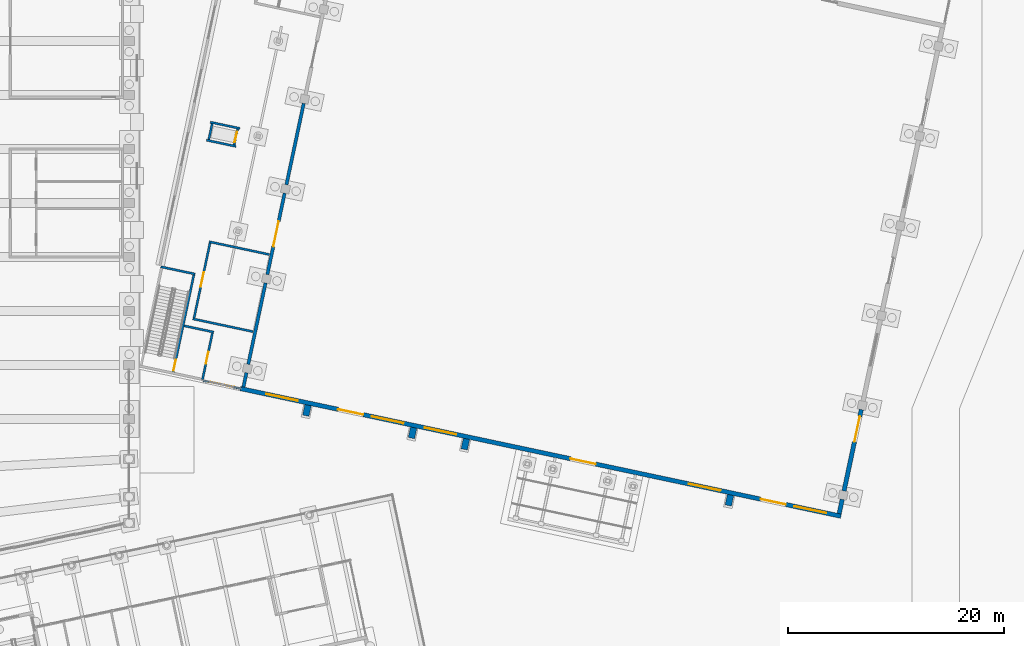
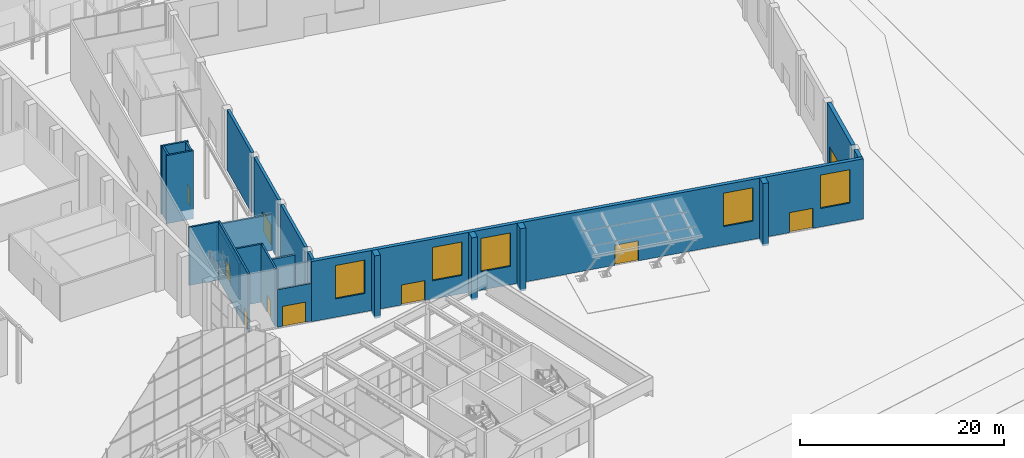
# One storey, part 175 of 239: 23 walls, 10 doors, 5 windows, 15 openings.
"""IFC4 building model written with IfcOpenShell, lengths in metres."""

from ifc_helpers import new_model, si_unit, direction, frame, frame_2d, origin, place, context, subcontext, project, spatial, rectangle, extrude, material, layer, layer_set, type_object, element, fill, save


model = new_model("IFC4")

# Units and contexts
model_context = context("Model", 3, precision=1e-05, world=origin(), true_north=direction((0.0, 1.0)))
body_context = subcontext(model_context, "Body", "Model", "MODEL_VIEW")
ifc_project = project(units=[si_unit("LENGTHUNIT", "METRE"), si_unit("AREAUNIT", "SQUARE_METRE"), si_unit("VOLUMEUNIT", "CUBIC_METRE"), si_unit("PLANEANGLEUNIT", "RADIAN"), si_unit("MASSUNIT", "GRAM", prefix="KILO")], contexts=[model_context])

# Site, building, storey
site_placement = place(None, origin())
site = spatial("IfcSite", under=ifc_project, at=site_placement, CompositionType="ELEMENT")
building_placement = place(site_placement, origin())
building = spatial("IfcBuilding", under=site, at=building_placement, Name="Okhra Congress Centre", CompositionType="ELEMENT")
storey_placement = place(building_placement, origin())
storey = spatial("IfcBuildingStorey", under=building, at=storey_placement, Name="L00", CompositionType="ELEMENT", Elevation=0.0)

# Wall, opening, door
ifc_material_1 = material(Name="Aluminium frame with insulated glazing (thermally broken)", Category="aluminium")
ifc_layer_1 = layer(ifc_material_1, 0.14990234375)
ifc_layer_set_1 = layer_set([ifc_layer_1], Name="Aluminium glazed screen wall 150")
wall_type_1 = type_object("IfcWallType", Name="Aluminium glazed screen wall 150", PredefinedType="SOLIDWALL", material=ifc_layer_set_1)
wall_1_placement = place(storey_placement, frame((195.876220703125, 94.54638671875, 0.0), z_axis=(0.0, 0.0, 1.0), x_axis=(0.978150285663, -0.207899058817, 0.0)))
wall_1 = element("IfcWall", 1, at=wall_1_placement, inside=storey, type_object=wall_type_1, Name="Foyer south entrance wall", PredefinedType="SOLIDWALL", context=body_context, shape_type="SweptSolid", body=[
    extrude(rectangle(XDim=3.550048828125, YDim=0.14990234375, at=frame_2d((1.77490234375, 0.0))), origin(), (0.0, 0.0, 1.0), 4.5),
])
opening_1_placement = place(wall_1_placement, frame((0.5, 0.0, 0.0)))
opening_1 = element("IfcOpeningElement", 2, at=opening_1_placement, cuts=wall_1, Name="Opening L00-119", PredefinedType="OPENING", context=body_context, shape_type="SweptSolid", body=[
    extrude(rectangle(XDim=2.39990234375, YDim=2.39990234375, at=frame_2d((1.199951171875, 1.199951171875))), frame((0.0, 0.0849609375, 0.0), z_axis=(0.0, -1.0, 0.0), x_axis=(1.0, 0.0, 0.0)), (0.0, 0.0, 1.0), 0.169921875),
])
ifc_material_2 = material(Name="Aluminium-framed toughened glass door leaves", Category="aluminium")
door_type_1 = type_object("IfcDoorType", Name="Aluminium glazed door pair 2400x2400", OperationType="NOTDEFINED", PredefinedType="DOOR", material=ifc_material_2)
door_1_placement = place(opening_1_placement, frame((2.39990234375, 0.0, 0.0), z_axis=(0.0, 0.0, 1.0), x_axis=(-1.0, 0.0, 0.0)))
door_1 = element("IfcDoor", 3, at=door_1_placement, inside=storey, type_object=door_type_1, Name="Foyer exit doors", OperationType="DOUBLE_DOOR_SINGLE_SWING", OverallHeight=2.39990234375, OverallWidth=2.39990234375, PredefinedType="DOOR", context=body_context, shape_type="SweptSolid", body=[
    extrude(rectangle(XDim=2.39990234375, YDim=2.39990234375, at=frame_2d((1.199951171875, 1.199951171875))), frame((0.0, 0.02490234375, 0.0), z_axis=(0.0, -1.0, 0.0), x_axis=(1.0, 0.0, 0.0)), (0.0, 0.0, 1.0), 0.050048828125),
])
fill(opening_1, door_1)

# Walls
ifc_material_3 = material(Name="Concrete C35/45", Category="concrete")
ifc_layer_2 = layer(ifc_material_3, 0.60009765625)
ifc_layer_set_2 = layer_set([ifc_layer_2], Name="Ballroom wall fin 600 R 120 C35/45")
wall_type_2 = type_object("IfcWallType", Name="Ballroom wall fin 600 R 120 C35/45", PredefinedType="SOLIDWALL", material=ifc_layer_set_2)
for number, where, z_axis, x_axis, name in (
    (4, (205.567138671875, 92.2822265625, -0.300048828125), (0.0, 0.0, 1.0), (-0.20774488838, -0.978183040822, 0.0), "Ballroom wall fin south 1 L00"),
    (5, (215.3486328125, 90.203125, -0.300048828125), (0.0, 0.0, 1.0), (-0.20774488838, -0.978183040822, 0.0), "Ballroom wall fin south 2 L00"),
):
    element("IfcWall", number, at=place(storey_placement, frame(where, z_axis=z_axis, x_axis=x_axis)), inside=storey, type_object=wall_type_2, Name=name, PredefinedType="SOLIDWALL", context=body_context, shape_type="SweptSolid", body=[
        extrude(rectangle(XDim=1.0, YDim=0.60009765625, at=frame_2d((0.5, 0.0))), origin(), (0.0, 0.0, 1.0), 7.5),
    ])
wall_2_placement = place(storey_placement, frame((220.239501953125, 89.16357421875, -0.300048828125), z_axis=(0.0, 0.0, 1.0), x_axis=(-0.207978453505, -0.978133407505, 0.0)))
element("IfcWall", 6, at=wall_2_placement, inside=storey, type_object=wall_type_2, Name="Ballroom wall fin south 3 L00", PredefinedType="SOLIDWALL", context=body_context, shape_type="SweptSolid", body=[
    extrude(rectangle(XDim=1.000244140625, YDim=0.60009765625, at=frame_2d((0.5, 0.0))), origin(), (0.0, 0.0, 1.0), 7.5),
])
wall_3_placement = place(storey_placement, frame((244.693115234375, 83.965576171875, -0.300048828125), z_axis=(0.0, 0.0, 1.0), x_axis=(-0.208028123778, -0.978122844901, 0.0)))
element("IfcWall", 7, at=wall_3_placement, inside=storey, type_object=wall_type_2, Name="Ballroom wall fin south 4 L00", PredefinedType="SOLIDWALL", context=body_context, shape_type="SweptSolid", body=[
    extrude(rectangle(XDim=1.0, YDim=0.60009765625, at=frame_2d((0.5, 0.0))), origin(), (0.0, 0.0, 1.0), 7.5),
])

# Wall, openings, doors, windows
ifc_material_4 = material(Name="Insulated metal sandwich panel (mineral wool core)")
ifc_layer_3 = layer(ifc_material_4, 0.39990234375)
ifc_layer_set_3 = layer_set([ifc_layer_3], Name="Insulated wall panel 400")
wall_type_3 = type_object("IfcWallType", Name="Insulated wall panel 400", PredefinedType="SOLIDWALL", material=ifc_layer_set_3)
wall_4_placement = place(storey_placement, frame((199.2802734375, 93.822998046875, 0.0), z_axis=(0.0, 0.0, 1.0), x_axis=(0.97814742614, -0.207912512214, 0.0)))
wall_4 = element("IfcWall", 8, at=wall_4_placement, inside=storey, type_object=wall_type_3, Name="Ballroom south wall L00", PredefinedType="SOLIDWALL", context=body_context, shape_type="SweptSolid", body=[
    extrude(rectangle(XDim=56.869873046875, YDim=0.39990234375, at=frame_2d((28.43505859375, 0.0))), origin(), (0.0, 0.0, 1.0), 7.199951171875),
])
opening_2_placement = place(wall_4_placement, frame((9.27001953125, 0.0, 0.0)))
opening_2 = element("IfcOpeningElement", 9, at=opening_2_placement, cuts=wall_4, Name="Opening L00-109", PredefinedType="OPENING", context=body_context, shape_type="SweptSolid", body=[
    extrude(rectangle(XDim=2.39990234375, YDim=2.39990234375, at=frame_2d((1.199951171875, 1.199951171875))), frame((0.0, 0.2099609375, 0.0), z_axis=(0.0, -1.0, 0.0), x_axis=(1.0, 0.0, 0.0)), (0.0, 0.0, 1.0), 0.419921875),
])
opening_3_placement = place(wall_4_placement, frame((31.27001953125, 0.0, 0.0)))
opening_3 = element("IfcOpeningElement", 10, at=opening_3_placement, cuts=wall_4, Name="Opening L00-110", PredefinedType="OPENING", context=body_context, shape_type="SweptSolid", body=[
    extrude(rectangle(XDim=2.39990234375, YDim=2.39990234375, at=frame_2d((1.199951171875, 1.199951171875))), frame((0.0, 0.2099609375, 0.0), z_axis=(0.0, -1.0, 0.0), x_axis=(1.0, 0.0, 0.0)), (0.0, 0.0, 1.0), 0.419921875),
])
opening_4_placement = place(wall_4_placement, frame((49.27001953125, 0.0, 0.0)))
opening_4 = element("IfcOpeningElement", 11, at=opening_4_placement, cuts=wall_4, Name="Opening L00-111", PredefinedType="OPENING", context=body_context, shape_type="SweptSolid", body=[
    extrude(rectangle(XDim=2.39990234375, YDim=2.39990234375, at=frame_2d((1.199951171875, 1.199951171875))), frame((0.0, 0.2099609375, 0.0), z_axis=(0.0, -1.0, 0.0), x_axis=(1.0, 0.0, 0.0)), (0.0, 0.0, 1.0), 0.419921875),
])
opening_5_placement = place(wall_4_placement, frame((2.469970703125, 0.0, 2.199951171875)))
opening_5 = element("IfcOpeningElement", 12, at=opening_5_placement, cuts=wall_4, Name="Opening WN12", PredefinedType="OPENING", context=body_context, shape_type="SweptSolid", body=[
    extrude(rectangle(XDim=3.0, YDim=4.0, at=frame_2d((1.5, 2.0))), frame((0.0, 0.2099609375, 0.0), z_axis=(0.0, -1.0, 0.0), x_axis=(1.0, 0.0, 0.0)), (0.0, 0.0, 1.0), 0.419921875),
])
opening_6_placement = place(wall_4_placement, frame((12.469970703125, 0.0, 2.199951171875)))
opening_6 = element("IfcOpeningElement", 13, at=opening_6_placement, cuts=wall_4, Name="Opening WN12", PredefinedType="OPENING", context=body_context, shape_type="SweptSolid", body=[
    extrude(rectangle(XDim=3.0, YDim=4.0, at=frame_2d((1.5, 2.0))), frame((0.0, 0.2099609375, 0.0), z_axis=(0.0, -1.0, 0.0), x_axis=(1.0, 0.0, 0.0)), (0.0, 0.0, 1.0), 0.419921875),
])
opening_7_placement = place(wall_4_placement, frame((17.469970703125, 0.0, 2.199951171875)))
opening_7 = element("IfcOpeningElement", 14, at=opening_7_placement, cuts=wall_4, Name="Opening WN12", PredefinedType="OPENING", context=body_context, shape_type="SweptSolid", body=[
    extrude(rectangle(XDim=3.0, YDim=4.0, at=frame_2d((1.5, 2.0))), frame((0.0, 0.2099609375, 0.0), z_axis=(0.0, -1.0, 0.0), x_axis=(1.0, 0.0, 0.0)), (0.0, 0.0, 1.0), 0.419921875),
])
opening_8_placement = place(wall_4_placement, frame((42.469970703125, 0.0, 2.199951171875)))
opening_8 = element("IfcOpeningElement", 15, at=opening_8_placement, cuts=wall_4, Name="Opening WN12", PredefinedType="OPENING", context=body_context, shape_type="SweptSolid", body=[
    extrude(rectangle(XDim=3.0, YDim=4.0, at=frame_2d((1.5, 2.0))), frame((0.0, 0.2099609375, 0.0), z_axis=(0.0, -1.0, 0.0), x_axis=(1.0, 0.0, 0.0)), (0.0, 0.0, 1.0), 0.419921875),
])
opening_9_placement = place(wall_4_placement, frame((52.469970703125, 0.0, 2.199951171875)))
opening_9 = element("IfcOpeningElement", 16, at=opening_9_placement, cuts=wall_4, Name="Opening WN12", PredefinedType="OPENING", context=body_context, shape_type="SweptSolid", body=[
    extrude(rectangle(XDim=3.0, YDim=4.0, at=frame_2d((1.5, 2.0))), frame((0.0, 0.2099609375, 0.0), z_axis=(0.0, -1.0, 0.0), x_axis=(1.0, 0.0, 0.0)), (0.0, 0.0, 1.0), 0.419921875),
])
ifc_material_5 = material(Name="Timber door leaves in steel frame", Category="steel")
door_type_2 = type_object("IfcDoorType", Name="Double swing door 2400x2400", OperationType="NOTDEFINED", PredefinedType="DOOR", material=ifc_material_5)
door_2_placement = place(opening_2_placement, frame((2.39990234375, 0.0, 0.0), z_axis=(0.0, 0.0, 1.0), x_axis=(-1.0, 0.0, 0.0)))
door_2 = element("IfcDoor", 17, at=door_2_placement, inside=storey, type_object=door_type_2, Name="Ballroom south exit doors", OperationType="DOUBLE_DOOR_SINGLE_SWING", OverallHeight=2.39990234375, OverallWidth=2.39990234375, PredefinedType="DOOR", context=body_context, shape_type="SweptSolid", body=[
    extrude(rectangle(XDim=2.39990234375, YDim=2.39990234375, at=frame_2d((1.199951171875, 1.199951171875))), frame((0.0, 0.02490234375, 0.0), z_axis=(0.0, -1.0, 0.0), x_axis=(1.0, 0.0, 0.0)), (0.0, 0.0, 1.0), 0.050048828125),
])
fill(opening_2, door_2)
door_3_placement = place(opening_3_placement, frame((2.39990234375, 0.0, 0.0), z_axis=(0.0, 0.0, 1.0), x_axis=(-1.0, 0.0, 0.0)))
door_3 = element("IfcDoor", 18, at=door_3_placement, inside=storey, type_object=door_type_2, Name="Ballroom south exit doors", OperationType="DOUBLE_DOOR_SINGLE_SWING", OverallHeight=2.39990234375, OverallWidth=2.39990234375, PredefinedType="DOOR", context=body_context, shape_type="SweptSolid", body=[
    extrude(rectangle(XDim=2.39990234375, YDim=2.39990234375, at=frame_2d((1.199951171875, 1.199951171875))), frame((0.0, 0.02490234375, 0.0), z_axis=(0.0, -1.0, 0.0), x_axis=(1.0, 0.0, 0.0)), (0.0, 0.0, 1.0), 0.050048828125),
])
fill(opening_3, door_3)
door_4_placement = place(opening_4_placement, frame((2.39990234375, 0.0, 0.0), z_axis=(0.0, 0.0, 1.0), x_axis=(-1.0, 0.0, 0.0)))
door_4 = element("IfcDoor", 19, at=door_4_placement, inside=storey, type_object=door_type_2, Name="Ballroom south exit doors", OperationType="DOUBLE_DOOR_SINGLE_SWING", OverallHeight=2.39990234375, OverallWidth=2.39990234375, PredefinedType="DOOR", context=body_context, shape_type="SweptSolid", body=[
    extrude(rectangle(XDim=2.39990234375, YDim=2.39990234375, at=frame_2d((1.199951171875, 1.199951171875))), frame((0.0, 0.02490234375, 0.0), z_axis=(0.0, -1.0, 0.0), x_axis=(1.0, 0.0, 0.0)), (0.0, 0.0, 1.0), 0.050048828125),
])
fill(opening_4, door_4)
ifc_material_6 = material(Name="Thermally broken aluminium frame, triple glazing", Category="aluminium")
window_type = type_object("IfcWindowType", Name="Fixed window 3000x4000", PartitioningType="SINGLE_PANEL", PredefinedType="WINDOW", material=ifc_material_6)
window_1_placement = place(opening_5_placement, origin())
window_1 = element("IfcWindow", 20, at=window_1_placement, inside=storey, type_object=window_type, Name="Ballroom side window", OverallHeight=4.0, OverallWidth=3.0, PartitioningType="SINGLE_PANEL", PredefinedType="WINDOW", context=body_context, shape_type="SweptSolid", body=[
    extrude(rectangle(XDim=3.0, YDim=4.0, at=frame_2d((1.5, 2.0))), frame((0.0, 0.030029296875, 0.0), z_axis=(0.0, -1.0, 0.0), x_axis=(1.0, 0.0, 0.0)), (0.0, 0.0, 1.0), 0.06005859375),
])
fill(opening_5, window_1)
window_2_placement = place(opening_6_placement, origin())
window_2 = element("IfcWindow", 21, at=window_2_placement, inside=storey, type_object=window_type, Name="Ballroom side window", OverallHeight=4.0, OverallWidth=3.0, PartitioningType="SINGLE_PANEL", PredefinedType="WINDOW", context=body_context, shape_type="SweptSolid", body=[
    extrude(rectangle(XDim=3.0, YDim=4.0, at=frame_2d((1.5, 2.0))), frame((0.0, 0.030029296875, 0.0), z_axis=(0.0, -1.0, 0.0), x_axis=(1.0, 0.0, 0.0)), (0.0, 0.0, 1.0), 0.06005859375),
])
fill(opening_6, window_2)
window_3_placement = place(opening_7_placement, origin())
window_3 = element("IfcWindow", 22, at=window_3_placement, inside=storey, type_object=window_type, Name="Ballroom side window", OverallHeight=4.0, OverallWidth=3.0, PartitioningType="SINGLE_PANEL", PredefinedType="WINDOW", context=body_context, shape_type="SweptSolid", body=[
    extrude(rectangle(XDim=3.0, YDim=4.0, at=frame_2d((1.5, 2.0))), frame((0.0, 0.030029296875, 0.0), z_axis=(0.0, -1.0, 0.0), x_axis=(1.0, 0.0, 0.0)), (0.0, 0.0, 1.0), 0.06005859375),
])
fill(opening_7, window_3)
window_4_placement = place(opening_8_placement, origin())
window_4 = element("IfcWindow", 23, at=window_4_placement, inside=storey, type_object=window_type, Name="Ballroom side window", OverallHeight=4.0, OverallWidth=3.0, PartitioningType="SINGLE_PANEL", PredefinedType="WINDOW", context=body_context, shape_type="SweptSolid", body=[
    extrude(rectangle(XDim=3.0, YDim=4.0, at=frame_2d((1.5, 2.0))), frame((0.0, 0.030029296875, 0.0), z_axis=(0.0, -1.0, 0.0), x_axis=(1.0, 0.0, 0.0)), (0.0, 0.0, 1.0), 0.06005859375),
])
fill(opening_8, window_4)
window_5_placement = place(opening_9_placement, origin())
window_5 = element("IfcWindow", 24, at=window_5_placement, inside=storey, type_object=window_type, Name="Ballroom side window", OverallHeight=4.0, OverallWidth=3.0, PartitioningType="SINGLE_PANEL", PredefinedType="WINDOW", context=body_context, shape_type="SweptSolid", body=[
    extrude(rectangle(XDim=3.0, YDim=4.0, at=frame_2d((1.5, 2.0))), frame((0.0, 0.030029296875, 0.0), z_axis=(0.0, -1.0, 0.0), x_axis=(1.0, 0.0, 0.0)), (0.0, 0.0, 1.0), 0.06005859375),
])
fill(opening_9, window_5)

# Wall
wall_5_placement = place(storey_placement, frame((254.75341796875, 82.236328125, 0.0), z_axis=(0.0, 0.0, 1.0), x_axis=(0.207824143845, 0.978166205322, 0.0)))
element("IfcWall", 25, at=wall_5_placement, inside=storey, type_object=wall_type_3, Name="Ballroom east wall", PredefinedType="SOLIDWALL", context=body_context, shape_type="SweptSolid", body=[
    extrude(rectangle(XDim=1.349853515625, YDim=0.39990234375, at=frame_2d((0.6748046875, 0.0))), origin(), (0.0, 0.0, 1.0), 7.199951171875),
])

# Wall, opening, door
wall_6_placement = place(storey_placement, frame((255.200439453125, 84.33935546875, 0.0), z_axis=(0.0, 0.0, 1.0), x_axis=(0.207900468663, 0.978149986009, 0.0)))
wall_6 = element("IfcWall", 26, at=wall_6_placement, inside=storey, type_object=wall_type_3, Name="Ballroom east wall", PredefinedType="SOLIDWALL", context=body_context, shape_type="SweptSolid", body=[
    extrude(rectangle(XDim=7.699951171875, YDim=0.39990234375, at=frame_2d((3.85009765625, 0.0))), origin(), (0.0, 0.0, 1.0), 7.199951171875),
])
opening_10_placement = place(wall_6_placement, frame((4.64990234375, 0.0, 0.0)))
opening_10 = element("IfcOpeningElement", 27, at=opening_10_placement, cuts=wall_6, Name="Opening L00-114", PredefinedType="OPENING", context=body_context, shape_type="SweptSolid", body=[
    extrude(rectangle(XDim=2.39990234375, YDim=2.39990234375, at=frame_2d((1.199951171875, 1.199951171875))), frame((0.0, 0.2099609375, 0.0), z_axis=(0.0, -1.0, 0.0), x_axis=(1.0, 0.0, 0.0)), (0.0, 0.0, 1.0), 0.419921875),
])
door_5_placement = place(opening_10_placement, frame((2.39990234375, 0.0, 0.0), z_axis=(0.0, 0.0, 1.0), x_axis=(-1.0, 0.0, 0.0)))
door_5 = element("IfcDoor", 28, at=door_5_placement, inside=storey, type_object=door_type_2, Name="Ballroom east exit doors", OperationType="DOUBLE_DOOR_SINGLE_SWING", OverallHeight=2.39990234375, OverallWidth=2.39990234375, PredefinedType="DOOR", context=body_context, shape_type="SweptSolid", body=[
    extrude(rectangle(XDim=2.39990234375, YDim=2.39990234375, at=frame_2d((1.199951171875, 1.199951171875))), frame((0.0, 0.02490234375, 0.0), z_axis=(0.0, -1.0, 0.0), x_axis=(1.0, 0.0, 0.0)), (0.0, 0.0, 1.0), 0.050048828125),
])
fill(opening_10, door_5)

# Walls
ifc_material_7 = material(Name="Concrete C30/37", Category="concrete")
ifc_layer_4 = layer(ifc_material_7, 0.300048828125)
ifc_layer_set_4 = layer_set([ifc_layer_4], Name="RC partition wall 300 C30/37")
wall_type_4 = type_object("IfcWallType", Name="RC partition wall 300 C30/37", PredefinedType="SOLIDWALL", material=ifc_layer_set_4)
wall_7_placement = place(storey_placement, frame((199.5859375, 93.96240234375, 0.0), z_axis=(0.0, 0.0, 1.0), x_axis=(0.207787380965, 0.978174015353, 0.0)))
element("IfcWall", 29, at=wall_7_placement, inside=storey, type_object=wall_type_4, Name="Hall and foyer partition wall", PredefinedType="SOLIDWALL", context=body_context, shape_type="SweptSolid", body=[
    extrude(rectangle(XDim=1.35009765625, YDim=0.300048828125, at=frame_2d((0.675048828125, 0.0))), origin(), (0.0, 0.0, 1.0), 7.199951171875),
])
wall_8_placement = place(storey_placement, frame((200.032958984375, 96.0654296875, 0.0), z_axis=(0.0, 0.0, 1.0), x_axis=(0.207900468663, 0.978149986009, 0.0)))
element("IfcWall", 30, at=wall_8_placement, inside=storey, type_object=wall_type_4, Name="Hall and foyer partition wall", PredefinedType="SOLIDWALL", context=body_context, shape_type="SweptSolid", body=[
    extrude(rectangle(XDim=7.699951171875, YDim=0.300048828125, at=frame_2d((3.85009765625, 0.0))), origin(), (0.0, 0.0, 1.0), 7.199951171875),
])

# Wall, opening, door
wall_9_placement = place(storey_placement, frame((201.800048828125, 104.379638671875, 0.0), z_axis=(0.0, 0.0, 1.0), x_axis=(0.207930804564, 0.978143537786, 0.0)))
wall_9 = element("IfcWall", 31, at=wall_9_placement, inside=storey, type_object=wall_type_4, Name="Hall and foyer partition wall", PredefinedType="SOLIDWALL", context=body_context, shape_type="SweptSolid", body=[
    extrude(rectangle(XDim=7.699951171875, YDim=0.300048828125, at=frame_2d((3.85009765625, 0.0))), origin(), (0.0, 0.0, 1.0), 7.199951171875),
])
opening_11_placement = place(wall_9_placement, frame((2.64990234375, 0.0, 0.0)))
opening_11 = element("IfcOpeningElement", 32, at=opening_11_placement, cuts=wall_9, Name="Opening L00-117", PredefinedType="OPENING", context=body_context, shape_type="SweptSolid", body=[
    extrude(rectangle(XDim=2.39990234375, YDim=2.39990234375, at=frame_2d((1.199951171875, 1.199951171875))), frame((0.0, 0.159912109375, 0.0), z_axis=(0.0, -1.0, 0.0), x_axis=(1.0, 0.0, 0.0)), (0.0, 0.0, 1.0), 0.320068359375),
])
door_6_placement = place(opening_11_placement, origin())
door_6 = element("IfcDoor", 33, at=door_6_placement, inside=storey, type_object=door_type_2, Name="Hall doors to the foyer", OperationType="DOUBLE_DOOR_SINGLE_SWING", OverallHeight=2.39990234375, OverallWidth=2.39990234375, PredefinedType="DOOR", context=body_context, shape_type="SweptSolid", body=[
    extrude(rectangle(XDim=2.39990234375, YDim=2.39990234375, at=frame_2d((1.199951171875, 1.199951171875))), frame((0.0, 0.02490234375, 0.0), z_axis=(0.0, -1.0, 0.0), x_axis=(1.0, 0.0, 0.0)), (0.0, 0.0, 1.0), 0.050048828125),
])
fill(opening_11, door_6)

# Walls
wall_10_placement = place(storey_placement, frame((203.5673828125, 112.694091796875, 0.0), z_axis=(0.0, 0.0, 1.0), x_axis=(0.207900468663, 0.978149986009, 0.0)))
element("IfcWall", 34, at=wall_10_placement, inside=storey, type_object=wall_type_4, Name="Hall and foyer partition wall", PredefinedType="SOLIDWALL", context=body_context, shape_type="SweptSolid", body=[
    extrude(rectangle(XDim=7.699951171875, YDim=0.300048828125, at=frame_2d((3.85009765625, 0.0))), origin(), (0.0, 0.0, 1.0), 7.199951171875),
])
ifc_layer_5 = layer(ifc_material_7, 0.199951171875)
ifc_layer_set_5 = layer_set([ifc_layer_5], Name="RC wall 200 REI 120 C30/37")
wall_type_5 = type_object("IfcWallType", Name="RC wall 200 REI 120 C30/37", PredefinedType="SOLIDWALL", material=ifc_layer_set_5)
for number, where, z_axis, x_axis, name in (
    (35, (194.89599609375, 100.275390625, 0.0), (0.0, 0.0, 1.0), (0.978148943882, -0.207905371704, 0.0), "Cloakroom south wall"),
    (36, (196.41357421875, 107.416015625, 0.0), (0.0, 0.0, 1.0), (0.978148943882, -0.207905371704, 0.0), "Cloakroom north wall"),
):
    element("IfcWall", number, at=place(storey_placement, frame(where, z_axis=z_axis, x_axis=x_axis)), inside=storey, type_object=wall_type_5, Name=name, PredefinedType="SOLIDWALL", context=body_context, shape_type="SweptSolid", body=[
        extrude(rectangle(XDim=5.699951171875, YDim=0.199951171875, at=frame_2d((2.85009765625, 0.0))), origin(), (0.0, 0.0, 1.0), 4.300048828125),
    ])

# Wall, opening, door
wall_11_placement = place(storey_placement, frame((195.014404296875, 100.3525390625, 0.0), z_axis=(0.0, 0.0, 1.0), x_axis=(0.207931958438, 0.978143292499, 0.0)))
wall_11 = element("IfcWall", 37, at=wall_11_placement, inside=storey, type_object=wall_type_5, Name="Cloakroom west wall", PredefinedType="SOLIDWALL", context=body_context, shape_type="SweptSolid", body=[
    extrude(rectangle(XDim=7.10009765625, YDim=0.199951171875, at=frame_2d((3.550048828125, 0.0))), origin(), (0.0, 0.0, 1.0), 4.300048828125),
])
opening_12_placement = place(wall_11_placement, frame((2.949951171875, 0.0, 0.0)))
opening_12 = element("IfcOpeningElement", 38, at=opening_12_placement, cuts=wall_11, Name="Opening L00-121", PredefinedType="OPENING", context=body_context, shape_type="SweptSolid", body=[
    extrude(rectangle(XDim=1.39990234375, YDim=2.10009765625, at=frame_2d((0.699951171875, 1.050048828125))), frame((0.0, 0.10986328125, 0.0), z_axis=(0.0, -1.0, 0.0), x_axis=(1.0, 0.0, 0.0)), (0.0, 0.0, 1.0), 0.219970703125),
])
door_type_3 = type_object("IfcDoorType", Name="Double swing door 1400x2100", OperationType="NOTDEFINED", PredefinedType="DOOR", material=ifc_material_5)
door_7_placement = place(opening_12_placement, origin())
door_7 = element("IfcDoor", 39, at=door_7_placement, inside=storey, type_object=door_type_3, Name="Cloakroom doors", OperationType="DOUBLE_DOOR_SINGLE_SWING", OverallHeight=2.10009765625, OverallWidth=1.39990234375, PredefinedType="DOOR", context=body_context, shape_type="SweptSolid", body=[
    extrude(rectangle(XDim=1.39990234375, YDim=2.10009765625, at=frame_2d((0.699951171875, 1.050048828125))), frame((0.0, 0.02490234375, 0.0), z_axis=(0.0, -1.0, 0.0), x_axis=(1.0, 0.0, 0.0)), (0.0, 0.0, 1.0), 0.050048828125),
])
fill(opening_12, door_7)

# Wall
wall_12_placement = place(storey_placement, frame((191.93359375, 105.0966796875, 0.0), z_axis=(0.0, 0.0, 1.0), x_axis=(0.978158278153, -0.207861451167, 0.0)))
element("IfcWall", 40, at=wall_12_placement, inside=storey, type_object=wall_type_5, Name="Gallery stair cell north wall L00", PredefinedType="SOLIDWALL", context=body_context, shape_type="SweptSolid", body=[
    extrude(rectangle(XDim=3.25, YDim=0.199951171875, at=frame_2d((1.625, 0.0))), origin(), (0.0, 0.0, 1.0), 6.949951171875),
])

# Wall, opening, door
wall_13_placement = place(storey_placement, frame((193.060302734375, 95.247314453125, 0.0), z_axis=(0.0, 0.0, 1.0), x_axis=(0.207915270313, 0.978146839882, 0.0)))
wall_13 = element("IfcWall", 41, at=wall_13_placement, inside=storey, type_object=wall_type_5, Name="Gallery stair cell east wall L00", PredefinedType="SOLIDWALL", context=body_context, shape_type="SweptSolid", body=[
    extrude(rectangle(XDim=9.2998046875, YDim=0.199951171875, at=frame_2d((4.64990234375, 0.0))), origin(), (0.0, 0.0, 1.0), 6.949951171875),
])
opening_13_placement = place(wall_13_placement, frame((0.25, 0.0, 0.0)))
opening_13 = element("IfcOpeningElement", 42, at=opening_13_placement, cuts=wall_13, Name="Opening L00-126", PredefinedType="OPENING", context=body_context, shape_type="SweptSolid", body=[
    extrude(rectangle(XDim=1.0, YDim=2.10009765625, at=frame_2d((0.5, 1.050048828125))), frame((0.0, 0.10986328125, 0.0), z_axis=(0.0, -1.0, 0.0), x_axis=(1.0, 0.0, 0.0)), (0.0, 0.0, 1.0), 0.219970703125),
])
ifc_material_8 = material(Name="Timber door leaf in steel frame", Category="steel")
door_type_4 = type_object("IfcDoorType", Name="Single swing door 1000x2100 EI 30", OperationType="NOTDEFINED", PredefinedType="DOOR", material=ifc_material_8)
door_8_placement = place(opening_13_placement, frame((1.0, 0.0, 0.0), z_axis=(0.0, 0.0, 1.0), x_axis=(-1.0, 0.0, 0.0)))
door_8 = element("IfcDoor", 43, at=door_8_placement, inside=storey, type_object=door_type_4, Name="Gallery stair door L00", OperationType="SINGLE_SWING_RIGHT", OverallHeight=2.10009765625, OverallWidth=1.0, PredefinedType="DOOR", context=body_context, shape_type="SweptSolid", body=[
    extrude(rectangle(XDim=1.0, YDim=2.10009765625, at=frame_2d((0.5, 1.050048828125))), frame((0.0, 0.02490234375, 0.0), z_axis=(0.0, -1.0, 0.0), x_axis=(1.0, 0.0, 0.0)), (0.0, 0.0, 1.0), 0.050048828125),
])
fill(opening_13, door_8)

# Wall
wall_14_placement = place(storey_placement, frame((194.09375, 99.628173828125, 0.0), z_axis=(0.0, 0.0, 1.0), x_axis=(0.978138015478, -0.207956780791, 0.0)))
element("IfcWall", 44, at=wall_14_placement, inside=storey, type_object=wall_type_5, Name="Gallery stair lobby north wall L00", PredefinedType="SOLIDWALL", context=body_context, shape_type="SweptSolid", body=[
    extrude(rectangle(XDim=2.800048828125, YDim=0.199951171875, at=frame_2d((1.39990234375, 0.0))), origin(), (0.0, 0.0, 1.0), 6.949951171875),
])

# Wall, opening, door
wall_15_placement = place(storey_placement, frame((195.799072265625, 94.6650390625, 0.0), z_axis=(0.0, 0.0, 1.0), x_axis=(0.207956302845, 0.978138117091, 0.0)))
wall_15 = element("IfcWall", 45, at=wall_15_placement, inside=storey, type_object=wall_type_5, Name="Gallery stair lobby east wall L00", PredefinedType="SOLIDWALL", context=body_context, shape_type="SweptSolid", body=[
    extrude(rectangle(XDim=4.400146484375, YDim=0.199951171875, at=frame_2d((2.2001953125, 0.0))), origin(), (0.0, 0.0, 1.0), 6.949951171875),
])
opening_14_placement = place(wall_15_placement, frame((1.5, 0.0, 0.0)))
opening_14 = element("IfcOpeningElement", 46, at=opening_14_placement, cuts=wall_15, Name="Opening L00-127", PredefinedType="OPENING", context=body_context, shape_type="SweptSolid", body=[
    extrude(rectangle(XDim=1.10009765625, YDim=2.10009765625, at=frame_2d((0.550048828125, 1.050048828125))), frame((0.0, 0.10986328125, 0.0), z_axis=(0.0, -1.0, 0.0), x_axis=(1.0, 0.0, 0.0)), (0.0, 0.0, 1.0), 0.219970703125),
])
door_type_5 = type_object("IfcDoorType", Name="Single swing door 1100x2100 EI 30", OperationType="NOTDEFINED", PredefinedType="DOOR", material=ifc_material_8)
door_9_placement = place(opening_14_placement, frame((1.10009765625, 0.0, 0.0), z_axis=(0.0, 0.0, 1.0), x_axis=(-1.0, 0.0, 0.0)))
door_9 = element("IfcDoor", 47, at=door_9_placement, inside=storey, type_object=door_type_5, Name="Gallery stair lobby exit door", OperationType="SINGLE_SWING_LEFT", OverallHeight=2.10009765625, OverallWidth=1.10009765625, PredefinedType="DOOR", context=body_context, shape_type="SweptSolid", body=[
    extrude(rectangle(XDim=1.10009765625, YDim=2.10009765625, at=frame_2d((0.550048828125, 1.050048828125))), frame((0.0, 0.02490234375, 0.0), z_axis=(0.0, -1.0, 0.0), x_axis=(1.0, 0.0, 0.0)), (0.0, 0.0, 1.0), 0.050048828125),
])
fill(opening_14, door_9)

# Walls
wall_16_placement = place(storey_placement, frame((196.1640625, 116.823486328125, -1.199951171875), z_axis=(0.0, 0.0, 1.0), x_axis=(0.978138015478, -0.207956780791, 0.0)))
element("IfcWall", 48, at=wall_16_placement, inside=storey, type_object=wall_type_5, Name="Gallery lift shaft south wall", PredefinedType="SOLIDWALL", context=body_context, shape_type="SweptSolid", body=[
    extrude(rectangle(XDim=2.800048828125, YDim=0.199951171875, at=frame_2d((1.39990234375, 0.0))), origin(), (0.0, 0.0, 1.0), 8.14990234375),
])
wall_17_placement = place(storey_placement, frame((196.380615234375, 116.879638671875, -1.199951171875), z_axis=(0.0, 0.0, 1.0), x_axis=(0.20783929028, 0.978162987143, 0.0)))
element("IfcWall", 49, at=wall_17_placement, inside=storey, type_object=wall_type_5, Name="Gallery lift shaft west wall", PredefinedType="SOLIDWALL", context=body_context, shape_type="SweptSolid", body=[
    extrude(rectangle(XDim=1.5, YDim=0.199951171875, at=frame_2d((0.75, 0.0))), origin(), (0.0, 0.0, 1.0), 8.14990234375),
])
wall_18_placement = place(storey_placement, frame((196.517578125, 118.486328125, -1.199951171875), z_axis=(0.0, 0.0, 1.0), x_axis=(0.978138015478, -0.207956780791, 0.0)))
element("IfcWall", 50, at=wall_18_placement, inside=storey, type_object=wall_type_5, Name="Gallery lift shaft north wall", PredefinedType="SOLIDWALL", context=body_context, shape_type="SweptSolid", body=[
    extrude(rectangle(XDim=2.800048828125, YDim=0.199951171875, at=frame_2d((1.39990234375, 0.0))), origin(), (0.0, 0.0, 1.0), 8.14990234375),
])

# Wall, opening, door
wall_19_placement = place(storey_placement, frame((198.72802734375, 116.380615234375, -1.199951171875), z_axis=(0.0, 0.0, 1.0), x_axis=(0.207995007687, 0.978129887478, 0.0)))
wall_19 = element("IfcWall", 51, at=wall_19_placement, inside=storey, type_object=wall_type_5, Name="Gallery lift shaft landing wall", PredefinedType="SOLIDWALL", context=body_context, shape_type="SweptSolid", body=[
    extrude(rectangle(XDim=1.5, YDim=0.199951171875, at=frame_2d((0.75, 0.0))), origin(), (0.0, 0.0, 1.0), 8.14990234375),
])
opening_15_placement = place(wall_19_placement, frame((0.25, 0.0, 1.199951171875)))
opening_15 = element("IfcOpeningElement", 52, at=opening_15_placement, cuts=wall_19, Name="Opening L00-128", PredefinedType="OPENING", context=body_context, shape_type="SweptSolid", body=[
    extrude(rectangle(XDim=1.0, YDim=2.10009765625, at=frame_2d((0.5, 1.050048828125))), frame((0.0, 0.10986328125, 0.0), z_axis=(0.0, -1.0, 0.0), x_axis=(1.0, 0.0, 0.0)), (0.0, 0.0, 1.0), 0.219970703125),
])
ifc_material_9 = material(Name="Stainless steel sliding landing door leaves", Category="steel")
door_type_6 = type_object("IfcDoorType", Name="Lift landing door 1000x2100 EI 30", OperationType="DOUBLE_DOOR_SLIDING", PredefinedType="DOOR", material=ifc_material_9)
door_10_placement = place(opening_15_placement, frame((1.0, 0.0, 0.0), z_axis=(0.0, 0.0, 1.0), x_axis=(-1.0, 0.0, 0.0)))
door_10 = element("IfcDoor", 53, at=door_10_placement, inside=storey, type_object=door_type_6, Name="Gallery lift landing door", OperationType="DOUBLE_DOOR_SLIDING", OverallHeight=2.10009765625, OverallWidth=1.0, PredefinedType="DOOR", context=body_context, shape_type="SweptSolid", body=[
    extrude(rectangle(XDim=1.0, YDim=2.10009765625, at=frame_2d((0.5, 1.050048828125))), frame((0.0, 0.02490234375, 0.0), z_axis=(0.0, -1.0, 0.0), x_axis=(1.0, 0.0, 0.0)), (0.0, 0.0, 1.0), 0.050048828125),
])
fill(opening_15, door_10)

save(model, "model.ifc")
